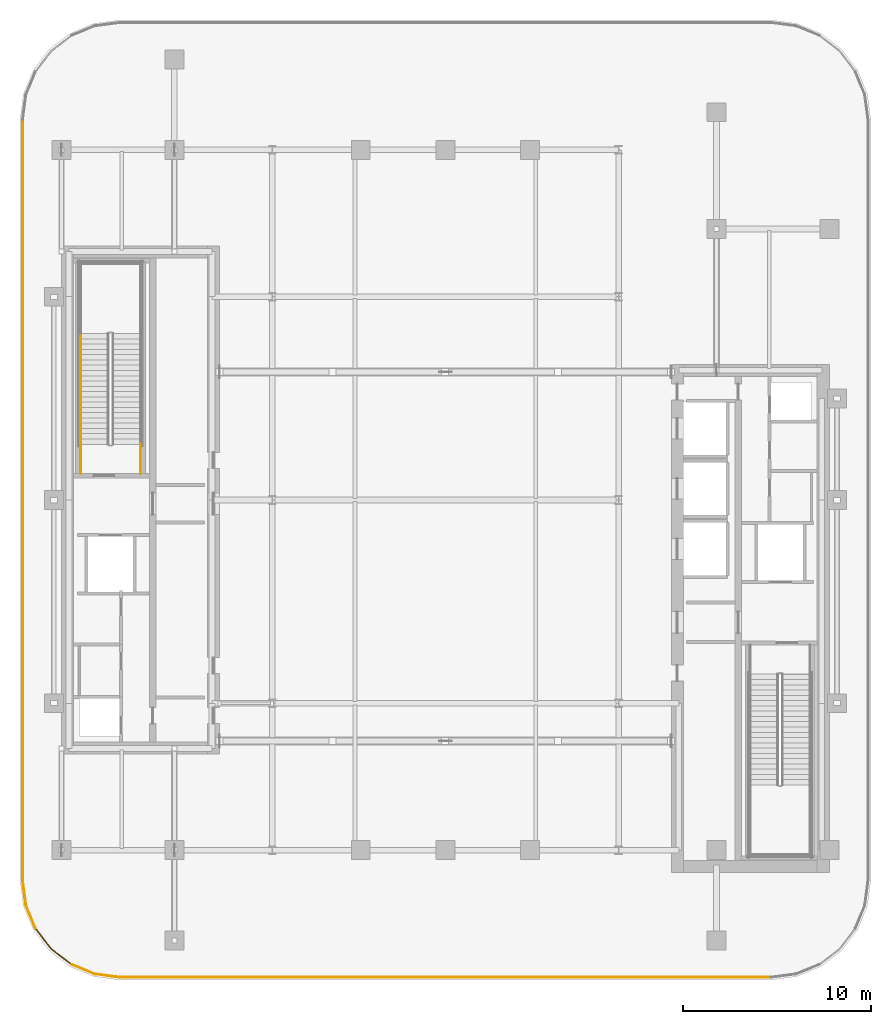
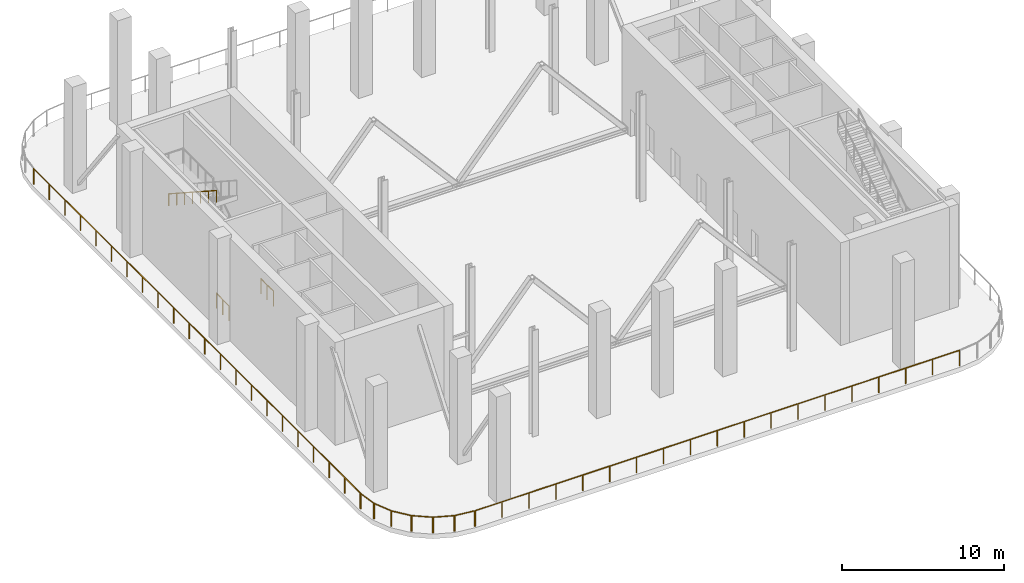
# One storey, part 7 of 12: 11 railings.
"""IFC4 building model written with IfcOpenShell, lengths in metres."""

from ifc_helpers import new_model, si_unit, direction, frame, origin, origin_2d, place, context, subcontext, project, spatial, circle, extrude, material, type_object, element, save


model = new_model("IFC4")

# Units and contexts
model_context = context("Model", 3, precision=1e-05, world=origin(), true_north=direction((0.0, 1.0)))
body_context = subcontext(model_context, "Body", "Model", "MODEL_VIEW")
ifc_project = project(units=[si_unit("LENGTHUNIT", "METRE"), si_unit("AREAUNIT", "SQUARE_METRE"), si_unit("VOLUMEUNIT", "CUBIC_METRE"), si_unit("PLANEANGLEUNIT", "RADIAN"), si_unit("MASSUNIT", "GRAM", prefix="KILO")], contexts=[model_context])

# Site, building, storey
site_placement = place(None, origin())
site = spatial("IfcSite", under=ifc_project, at=site_placement, CompositionType="ELEMENT")
building_placement = place(site_placement, origin())
building = spatial("IfcBuilding", under=site, at=building_placement, Name="Khairoan Windgate Tower", CompositionType="ELEMENT")
storey_placement = place(building_placement, frame((0.0, 0.0, 214.39990234375)))
storey = spatial("IfcBuildingStorey", under=building, at=storey_placement, Name="L50", CompositionType="ELEMENT", Elevation=214.39990234375)

# Railings
ifc_material_1 = material(Name="Anodised Bronze Aluminium 6063-T6", Category="aluminium")
railing_type_1 = type_object("IfcRailingType", Name="Aerodynamic Bronze-and-Glass Balustrade BAL-1200", PredefinedType="BALUSTRADE", material=ifc_material_1)
railing_1_placement = place(storey_placement, frame((17.265869140625, -25.360107421875, 0.0)))
element("IfcRailing", 1, at=railing_1_placement, inside=storey, type_object=railing_type_1, Name="L50 Wind-Slot Portal Perimeter Balustrade 01", PredefinedType="BALUSTRADE", context=body_context, shape_type="SweptSolid", body=[
    extrude(circle(Radius=0.02392578125, at=origin_2d()), frame((0.0, 0.0, 1.17578125), z_axis=(-1.0, 0.0, 0.0), x_axis=(0.0, -1.0, 0.0)), (0.0, 0.0, 1.0), 34.53173828125),
    extrude(circle(Radius=0.02099609375, at=origin_2d()), origin(), (0.0, 0.0, 1.0), 1.15185546875),
    extrude(circle(Radius=0.02099609375, at=origin_2d()), frame((-1.91845703125, 0.0, 0.0)), (0.0, 0.0, 1.0), 1.15185546875),
    extrude(circle(Radius=0.02099609375, at=origin_2d()), frame((-3.8369140625, 0.0, 0.0)), (0.0, 0.0, 1.0), 1.15185546875),
    extrude(circle(Radius=0.02099609375, at=origin_2d()), frame((-5.75537109375, 0.0, 0.0)), (0.0, 0.0, 1.0), 1.15185546875),
    extrude(circle(Radius=0.02099609375, at=origin_2d()), frame((-7.673828125, 0.0, 0.0)), (0.0, 0.0, 1.0), 1.15185546875),
    extrude(circle(Radius=0.02099609375, at=origin_2d()), frame((-9.592041015625, 0.0, 0.0)), (0.0, 0.0, 1.0), 1.15185546875),
    extrude(circle(Radius=0.02099609375, at=origin_2d()), frame((-11.510498046875, 0.0, 0.0)), (0.0, 0.0, 1.0), 1.15185546875),
    extrude(circle(Radius=0.02099609375, at=origin_2d()), frame((-13.428955078125, 0.0, 0.0)), (0.0, 0.0, 1.0), 1.15185546875),
    extrude(circle(Radius=0.02099609375, at=origin_2d()), frame((-15.347412109375, 0.0, 0.0)), (0.0, 0.0, 1.0), 1.15185546875),
    extrude(circle(Radius=0.02099609375, at=origin_2d()), frame((-17.265869140625, 0.0, 0.0)), (0.0, 0.0, 1.0), 1.15185546875),
    extrude(circle(Radius=0.02099609375, at=origin_2d()), frame((-19.184326171875, 0.0, 0.0)), (0.0, 0.0, 1.0), 1.15185546875),
    extrude(circle(Radius=0.02099609375, at=origin_2d()), frame((-21.102783203125, 0.0, 0.0)), (0.0, 0.0, 1.0), 1.15185546875),
    extrude(circle(Radius=0.02099609375, at=origin_2d()), frame((-23.021240234375, 0.0, 0.0)), (0.0, 0.0, 1.0), 1.15185546875),
    extrude(circle(Radius=0.02099609375, at=origin_2d()), frame((-24.939697265625, 0.0, 0.0)), (0.0, 0.0, 1.0), 1.15185546875),
    extrude(circle(Radius=0.02099609375, at=origin_2d()), frame((-26.85791015625, 0.0, 0.0)), (0.0, 0.0, 1.0), 1.15185546875),
    extrude(circle(Radius=0.02099609375, at=origin_2d()), frame((-28.7763671875, 0.0, 0.0)), (0.0, 0.0, 1.0), 1.15185546875),
    extrude(circle(Radius=0.02099609375, at=origin_2d()), frame((-30.69482421875, 0.0, 0.0)), (0.0, 0.0, 1.0), 1.15185546875),
    extrude(circle(Radius=0.02099609375, at=origin_2d()), frame((-32.61328125, 0.0, 0.0)), (0.0, 0.0, 1.0), 1.15185546875),
    extrude(circle(Radius=0.02099609375, at=origin_2d()), frame((-34.53173828125, 0.0, 0.0)), (0.0, 0.0, 1.0), 1.15185546875),
])
railing_2_placement = place(storey_placement, frame((-17.315673828125, -25.356689453125, 0.0)))
element("IfcRailing", 2, at=railing_2_placement, inside=storey, type_object=railing_type_1, Name="L50 Wind-Slot Portal Perimeter Balustrade 02", PredefinedType="BALUSTRADE", context=body_context, shape_type="SweptSolid", body=[
    extrude(circle(Radius=0.02392578125, at=origin_2d()), frame((0.0, 0.0, 1.17578125), z_axis=(-0.991448567428, 0.130498038858, 0.0), x_axis=(-0.130498038858, -0.991448567428, 0.0)), (0.0, 0.0, 1.0), 1.305908203125),
    extrude(circle(Radius=0.02099609375, at=origin_2d()), origin(), (0.0, 0.0, 1.0), 1.15185546875),
    extrude(circle(Radius=0.02099609375, at=origin_2d()), frame((-1.294677734375, 0.17041015625, 0.0)), (0.0, 0.0, 1.0), 1.15185546875),
])
railing_3_placement = place(storey_placement, frame((-18.658203125, -25.17333984375, 0.0)))
element("IfcRailing", 3, at=railing_3_placement, inside=storey, type_object=railing_type_1, Name="L50 Wind-Slot Portal Perimeter Balustrade 03", PredefinedType="BALUSTRADE", context=body_context, shape_type="SweptSolid", body=[
    extrude(circle(Radius=0.02392578125, at=origin_2d()), frame((0.0, 0.0, 1.17578125), z_axis=(-0.923915871673, 0.382595690084, 0.0), x_axis=(-0.382595690084, -0.923915871673, 0.0)), (0.0, 0.0, 1.0), 1.296630859375),
    extrude(circle(Radius=0.02099609375, at=origin_2d()), origin(), (0.0, 0.0, 1.0), 1.15185546875),
    extrude(circle(Radius=0.02099609375, at=origin_2d()), frame((-1.197998046875, 0.49609375, 0.0)), (0.0, 0.0, 1.0), 1.15185546875),
])
railing_4_placement = place(storey_placement, frame((-19.899169921875, -24.65234375, 0.0)))
element("IfcRailing", 4, at=railing_4_placement, inside=storey, type_object=railing_type_1, Name="L50 Wind-Slot Portal Perimeter Balustrade 04", PredefinedType="BALUSTRADE", context=body_context, shape_type="SweptSolid", body=[
    extrude(circle(Radius=0.02392578125, at=origin_2d()), frame((0.0, 0.0, 1.17578125), z_axis=(-0.793400251683, 0.608700288014, 0.0), x_axis=(-0.608700288014, -0.793400251683, 0.0)), (0.0, 0.0, 1.0), 1.296630859375),
    extrude(circle(Radius=0.02099609375, at=origin_2d()), origin(), (0.0, 0.0, 1.0), 1.15185546875),
    extrude(circle(Radius=0.02099609375, at=origin_2d()), frame((-1.02880859375, 0.789306640625, 0.0)), (0.0, 0.0, 1.0), 1.15185546875),
])
railing_5_placement = place(storey_placement, frame((-20.963134765625, -23.828125, 0.0)))
element("IfcRailing", 5, at=railing_5_placement, inside=storey, type_object=railing_type_1, Name="L50 Wind-Slot Portal Perimeter Balustrade 05", PredefinedType="BALUSTRADE", context=body_context, shape_type="SweptSolid", body=[
    extrude(circle(Radius=0.02392578125, at=origin_2d()), frame((0.0, 0.0, 1.17578125), z_axis=(-0.608700288014, 0.793400251683, 0.0), x_axis=(-0.793400251683, -0.608700288014, 0.0)), (0.0, 0.0, 1.0), 1.296630859375),
    extrude(circle(Radius=0.02099609375, at=origin_2d()), origin(), (0.0, 0.0, 1.0), 1.15185546875),
    extrude(circle(Radius=0.02099609375, at=origin_2d()), frame((-0.789306640625, 1.02880859375, 0.0)), (0.0, 0.0, 1.0), 1.15185546875),
])
railing_6_placement = place(storey_placement, frame((-21.777099609375, -22.75634765625, 0.0)))
element("IfcRailing", 6, at=railing_6_placement, inside=storey, type_object=railing_type_1, Name="L50 Wind-Slot Portal Perimeter Balustrade 06", PredefinedType="BALUSTRADE", context=body_context, shape_type="SweptSolid", body=[
    extrude(circle(Radius=0.02392578125, at=origin_2d()), frame((0.0, 0.0, 1.17578125), z_axis=(-0.382756396898, 0.923849306236, 0.0), x_axis=(-0.923849306236, -0.382756396898, 0.0)), (0.0, 0.0, 1.0), 1.296630859375),
    extrude(circle(Radius=0.02099609375, at=origin_2d()), origin(), (0.0, 0.0, 1.0), 1.15185546875),
    extrude(circle(Radius=0.02099609375, at=origin_2d()), frame((-0.496337890625, 1.197998046875, 0.0)), (0.0, 0.0, 1.0), 1.15185546875),
])
railing_7_placement = place(storey_placement, frame((-22.286376953125, -21.510498046875, 0.0)))
element("IfcRailing", 7, at=railing_7_placement, inside=storey, type_object=railing_type_1, Name="L50 Wind-Slot Portal Perimeter Balustrade 07", PredefinedType="BALUSTRADE", context=body_context, shape_type="SweptSolid", body=[
    extrude(circle(Radius=0.02392578125, at=origin_2d()), frame((0.0, 0.0, 1.17578125), z_axis=(-0.130473854034, 0.991451750421, 0.0), x_axis=(-0.991451750421, -0.130473854034, 0.0)), (0.0, 0.0, 1.0), 1.30615234375),
    extrude(circle(Radius=0.02099609375, at=origin_2d()), origin(), (0.0, 0.0, 1.0), 1.15185546875),
    extrude(circle(Radius=0.02099609375, at=origin_2d()), frame((-0.17041015625, 1.294921875, 0.0)), (0.0, 0.0, 1.0), 1.15185546875),
])
railing_8_placement = place(storey_placement, frame((-22.4599609375, -20.165771484375, 0.0)))
element("IfcRailing", 8, at=railing_8_placement, inside=storey, type_object=railing_type_1, Name="L50 Wind-Slot Portal Perimeter Balustrade 08", PredefinedType="BALUSTRADE", context=body_context, shape_type="SweptSolid", body=[
    extrude(circle(Radius=0.02392578125, at=origin_2d()), frame((0.0, 0.0, 1.17578125), z_axis=(0.0, 1.0, 0.0), x_axis=(-1.0, 0.0, 0.0)), (0.0, 0.0, 1.0), 40.33154296875),
    extrude(circle(Radius=0.02099609375, at=origin_2d()), origin(), (0.0, 0.0, 1.0), 1.15185546875),
    extrude(circle(Radius=0.02099609375, at=origin_2d()), frame((0.0, 1.920654296875, 0.0)), (0.0, 0.0, 1.0), 1.15185546875),
    extrude(circle(Radius=0.02099609375, at=origin_2d()), frame((0.0, 3.841064453125, 0.0)), (0.0, 0.0, 1.0), 1.15185546875),
    extrude(circle(Radius=0.02099609375, at=origin_2d()), frame((0.0, 5.76171875, 0.0)), (0.0, 0.0, 1.0), 1.15185546875),
    extrude(circle(Radius=0.02099609375, at=origin_2d()), frame((0.0, 7.68212890625, 0.0)), (0.0, 0.0, 1.0), 1.15185546875),
    extrude(circle(Radius=0.02099609375, at=origin_2d()), frame((0.0, 9.602783203125, 0.0)), (0.0, 0.0, 1.0), 1.15185546875),
    extrude(circle(Radius=0.02099609375, at=origin_2d()), frame((0.0, 11.523193359375, 0.0)), (0.0, 0.0, 1.0), 1.15185546875),
    extrude(circle(Radius=0.02099609375, at=origin_2d()), frame((0.0, 13.44384765625, 0.0)), (0.0, 0.0, 1.0), 1.15185546875),
    extrude(circle(Radius=0.02099609375, at=origin_2d()), frame((0.0, 15.364501953125, 0.0)), (0.0, 0.0, 1.0), 1.15185546875),
    extrude(circle(Radius=0.02099609375, at=origin_2d()), frame((0.0, 17.284912109375, 0.0)), (0.0, 0.0, 1.0), 1.15185546875),
    extrude(circle(Radius=0.02099609375, at=origin_2d()), frame((0.0, 19.20556640625, 0.0)), (0.0, 0.0, 1.0), 1.15185546875),
    extrude(circle(Radius=0.02099609375, at=origin_2d()), frame((0.0, 21.1259765625, 0.0)), (0.0, 0.0, 1.0), 1.15185546875),
    extrude(circle(Radius=0.02099609375, at=origin_2d()), frame((0.0, 23.046630859375, 0.0)), (0.0, 0.0, 1.0), 1.15185546875),
    extrude(circle(Radius=0.02099609375, at=origin_2d()), frame((0.0, 24.967041015625, 0.0)), (0.0, 0.0, 1.0), 1.15185546875),
    extrude(circle(Radius=0.02099609375, at=origin_2d()), frame((0.0, 26.8876953125, 0.0)), (0.0, 0.0, 1.0), 1.15185546875),
    extrude(circle(Radius=0.02099609375, at=origin_2d()), frame((0.0, 28.808349609375, 0.0)), (0.0, 0.0, 1.0), 1.15185546875),
    extrude(circle(Radius=0.02099609375, at=origin_2d()), frame((0.0, 30.728759765625, 0.0)), (0.0, 0.0, 1.0), 1.15185546875),
    extrude(circle(Radius=0.02099609375, at=origin_2d()), frame((0.0, 32.6494140625, 0.0)), (0.0, 0.0, 1.0), 1.15185546875),
    extrude(circle(Radius=0.02099609375, at=origin_2d()), frame((0.0, 34.56982421875, 0.0)), (0.0, 0.0, 1.0), 1.15185546875),
    extrude(circle(Radius=0.02099609375, at=origin_2d()), frame((0.0, 36.490478515625, 0.0)), (0.0, 0.0, 1.0), 1.15185546875),
    extrude(circle(Radius=0.02099609375, at=origin_2d()), frame((0.0, 38.410888671875, 0.0)), (0.0, 0.0, 1.0), 1.15185546875),
    extrude(circle(Radius=0.02099609375, at=origin_2d()), frame((0.0, 40.33154296875, 0.0)), (0.0, 0.0, 1.0), 1.15185546875),
])
ifc_material_2 = material(Name="Anodised Bronze Aluminium 6063-T6", Category="aluminium")
railing_type_2 = type_object("IfcRailingType", Name="Stair Wall Handrail SHR-900", PredefinedType="HANDRAIL", material=ifc_material_2)
railing_9_placement = place(storey_placement, frame((-19.3701171875, 8.840087890625, 4.181884765625)))
element("IfcRailing", 9, at=railing_9_placement, inside=storey, type_object=railing_type_2, Name="L50 ST2 stair handrail 2", PredefinedType="HANDRAIL", context=body_context, shape_type="SweptSolid", body=[
    extrude(circle(Radius=0.02392578125, at=origin_2d()), frame((0.0, 0.0, 0.8759765625), z_axis=(0.0, -0.838702090377, 0.544590491651), x_axis=(1.0, 0.0, 0.0)), (0.0, 0.0, 1.0), 7.010986328125),
    extrude(circle(Radius=0.02099609375, at=origin_2d()), origin(), (0.0, 0.0, 1.0), 0.851806640625),
    extrude(circle(Radius=0.02099609375, at=origin_2d()), frame((0.0, -0.97998046875, 0.63623046875)), (0.0, 0.0, 1.0), 0.851806640625),
    extrude(circle(Radius=0.02099609375, at=origin_2d()), frame((0.0, -1.9599609375, 1.272705078125)), (0.0, 0.0, 1.0), 0.851806640625),
    extrude(circle(Radius=0.02099609375, at=origin_2d()), frame((0.0, -2.93994140625, 1.9091796875)), (0.0, 0.0, 1.0), 0.851806640625),
    extrude(circle(Radius=0.02099609375, at=origin_2d()), frame((0.0, -3.920166015625, 2.54541015625)), (0.0, 0.0, 1.0), 0.851806640625),
    extrude(circle(Radius=0.02099609375, at=origin_2d()), frame((0.0, -4.900146484375, 3.181640625)), (0.0, 0.0, 1.0), 0.851806640625),
    extrude(circle(Radius=0.02099609375, at=origin_2d()), frame((0.0, -5.880126953125, 3.818115234375)), (0.0, 0.0, 1.0), 0.851806640625),
])
ifc_material_3 = material(Name="Steel S355", Category="steel")
railing_type_3 = type_object("IfcRailingType", Name="Stairwell Safety Guardrail SGR-1150", PredefinedType="GUARDRAIL", material=ifc_material_3)
for number, where, name in (
    (10, (-16.199951171875, 1.39990234375, 0.0), "L50 ST2 stair guard 8"),
    (11, (-19.3701171875, 1.39990234375, 0.0), "L50 ST2 stair guard 9"),
):
    element("IfcRailing", number, at=place(storey_placement, frame(where)), inside=storey, type_object=railing_type_3, Name=name, PredefinedType="GUARDRAIL", context=body_context, shape_type="SweptSolid", body=[
        extrude(circle(Radius=0.02392578125, at=origin_2d()), frame((0.0, 0.0, 1.1259765625), z_axis=(0.0, 1.0, 0.0), x_axis=(-1.0, 0.0, 0.0)), (0.0, 0.0, 1.0), 1.56005859375),
        extrude(circle(Radius=0.02099609375, at=origin_2d()), origin(), (0.0, 0.0, 1.0), 1.101806640625),
        extrude(circle(Radius=0.02099609375, at=origin_2d()), frame((0.0, 0.780029296875, 0.0)), (0.0, 0.0, 1.0), 1.101806640625),
        extrude(circle(Radius=0.02099609375, at=origin_2d()), frame((0.0, 1.56005859375, 0.0)), (0.0, 0.0, 1.0), 1.101806640625),
    ])

save(model, "model.ifc")
